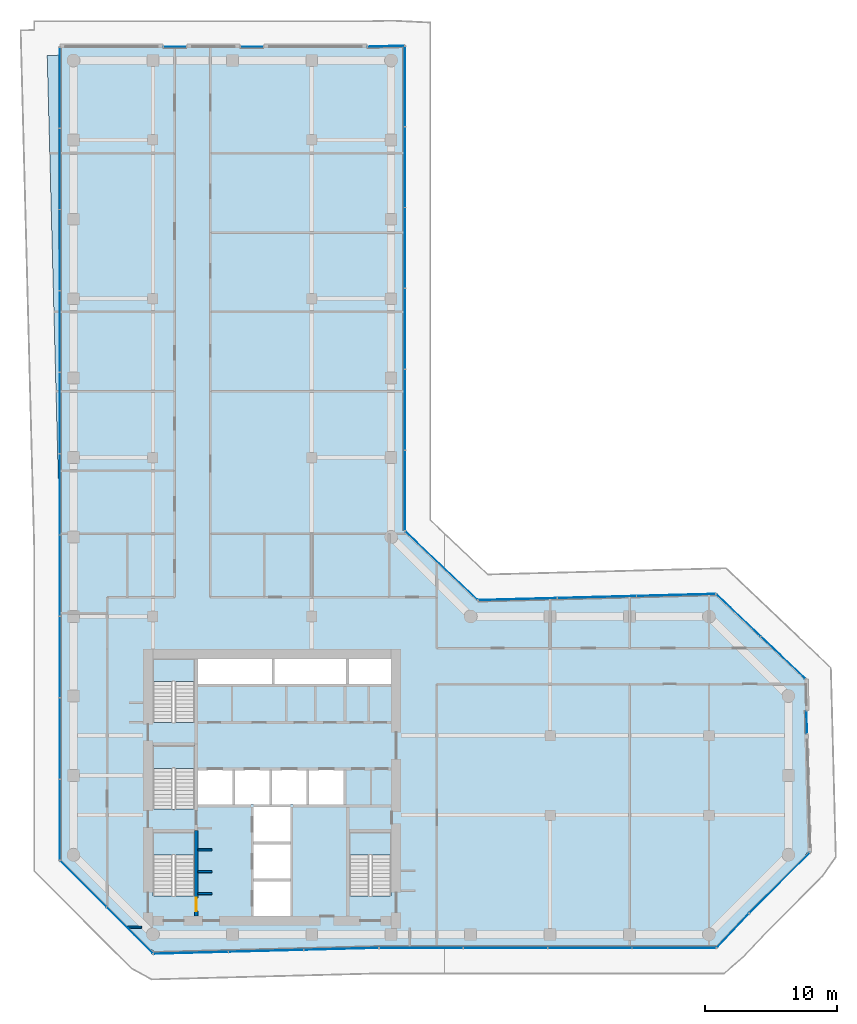
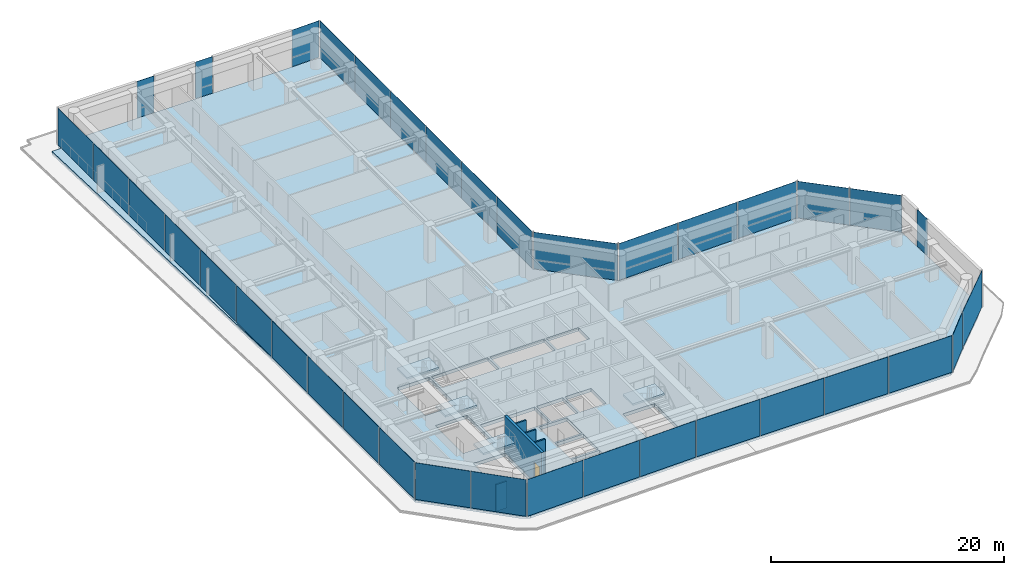
# One storey, part 17 of 23: 37 plates, 5 slabs, 5 walls, 1 door, 1 opening, 18 elements without a shape of their own.
"""IFC4 building model written with IfcOpenShell, lengths in metres."""

from ifc_helpers import new_model, si_unit, direction, frame, frame_2d, origin, origin_2d, place, context, subcontext, project, spatial, polyline, rectangle, outline, extrude, material, layer, layer_set, type_object, element, fill, aggregate, save


model = new_model("IFC4")

# Units and contexts
model_context = context("Model", 3, precision=1e-05, world=origin(), true_north=direction((0.0, 1.0)))
body_context = subcontext(model_context, "Body", "Model", "MODEL_VIEW")
ifc_project = project(units=[si_unit("LENGTHUNIT", "METRE"), si_unit("AREAUNIT", "SQUARE_METRE"), si_unit("VOLUMEUNIT", "CUBIC_METRE"), si_unit("PLANEANGLEUNIT", "RADIAN"), si_unit("MASSUNIT", "GRAM", prefix="KILO")], contexts=[model_context])

# Site, building, storey
site_placement = place(None, origin())
site = spatial("IfcSite", under=ifc_project, at=site_placement, CompositionType="ELEMENT")
building_placement = place(site_placement, origin())
building = spatial("IfcBuilding", under=site, at=building_placement, Name="Welwitschia Terrace Campus", CompositionType="ELEMENT")
storey_placement = place(building_placement, frame((0.0, 0.0, 104.60009765625)))
storey = spatial("IfcBuildingStorey", under=building, at=storey_placement, Name="L23", CompositionType="ELEMENT", Elevation=104.60009765625)

# Curtain wall, plates
ifc_material_1 = material(Name="Bronze anodised aluminium", Category="aluminium")
ifc_layer_1 = layer(ifc_material_1, 0.1201171875)
ifc_layer_set_1 = layer_set([ifc_layer_1], Name="Bronze anodised aluminium")
curtain_wall_type = type_object("IfcCurtainWallType", Name="Curtain wall CW2 tower 6000", PredefinedType="NOTDEFINED", material=ifc_layer_set_1)
curtain_wall_1_placement = place(storey_placement, origin())
curtain_wall_1 = element("IfcCurtainWall", 1, at=curtain_wall_1_placement, inside=storey, type_object=curtain_wall_type, Name="CW L23.0.0", PredefinedType="NOTDEFINED")
ifc_material_2 = material(Name="Tinted bronze-grey glass", Category="glass")
ifc_layer_2 = layer(ifc_material_2, 0.028076171875)
ifc_layer_set_2 = layer_set([ifc_layer_2], Name="Tinted bronze-grey glass")
plate_type = type_object("IfcPlateType", Name="Glass panel 28 tinted", PredefinedType="CURTAIN_PANEL", material=ifc_layer_set_2)
plate_1_placement = place(storey_placement, frame((0.7431640625, 7.80029296875, -0.000244140625), z_axis=(0.0, 0.0, 1.0), x_axis=(0.707106781187, -0.707106781187, 0.0)))
plate_1 = element("IfcPlate", 2, at=plate_1_placement, type_object=plate_type, Name="Panel L23.0.0.0", PredefinedType="CURTAIN_PANEL", context=body_context, shape_type="SweptSolid", body=[
    extrude(rectangle(XDim=4.89501953125, YDim=0.028076171875, at=origin_2d()), origin(), (0.0, 0.0, 1.0), 3.85009765625),
])
plate_2_placement = place(storey_placement, frame((4.246826171875, 4.29638671875, -0.000244140625), z_axis=(0.0, 0.0, 1.0), x_axis=(0.707106781187, -0.707106781187, 0.0)))
plate_2 = element("IfcPlate", 3, at=plate_2_placement, type_object=plate_type, Name="Panel L23.0.0.1", PredefinedType="CURTAIN_PANEL", context=body_context, shape_type="SweptSolid", body=[
    extrude(rectangle(XDim=4.89501953125, YDim=0.028076171875, at=origin_2d()), origin(), (0.0, 0.0, 1.0), 3.85009765625),
])
aggregate(curtain_wall_1, [plate_1, plate_2])

curtain_wall_2_placement = place(storey_placement, origin())
curtain_wall_2 = element("IfcCurtainWall", 4, at=curtain_wall_2_placement, inside=storey, type_object=curtain_wall_type, Name="CW L23.1.0", PredefinedType="NOTDEFINED")
plate_3_placement = place(storey_placement, frame((8.87744140625, 2.59814453125, -0.000244140625), z_axis=(0.0, 0.0, 1.0), x_axis=(0.999657324976, 0.026176948308, 0.0)))
plate_3 = element("IfcPlate", 5, at=plate_3_placement, type_object=plate_type, Name="Panel L23.1.0.0", PredefinedType="CURTAIN_PANEL", context=body_context, shape_type="SweptSolid", body=[
    extrude(rectangle(XDim=5.5966796875, YDim=0.028076171875, at=origin_2d()), origin(), (0.0, 0.0, 1.0), 3.85009765625),
])
plate_4_placement = place(storey_placement, frame((14.547119140625, 2.746826171875, -0.000244140625), z_axis=(0.0, 0.0, 1.0), x_axis=(0.999657324976, 0.026176948308, 0.0)))
plate_4 = element("IfcPlate", 6, at=plate_4_placement, type_object=plate_type, Name="Panel L23.1.0.1", PredefinedType="CURTAIN_PANEL", context=body_context, shape_type="SweptSolid", body=[
    extrude(rectangle(XDim=5.626708984375, YDim=0.028076171875, at=origin_2d()), origin(), (0.0, 0.0, 1.0), 3.85009765625),
])
plate_5_placement = place(storey_placement, frame((20.217041015625, 2.895263671875, -0.000244140625), z_axis=(0.0, 0.0, 1.0), x_axis=(0.999657324976, 0.026176948308, 0.0)))
plate_5 = element("IfcPlate", 7, at=plate_5_placement, type_object=plate_type, Name="Panel L23.1.0.2", PredefinedType="CURTAIN_PANEL", context=body_context, shape_type="SweptSolid", body=[
    extrude(rectangle(XDim=5.5966796875, YDim=0.028076171875, at=origin_2d()), origin(), (0.0, 0.0, 1.0), 3.85009765625),
])
aggregate(curtain_wall_2, [plate_3, plate_4, plate_5])

curtain_wall_3_placement = place(storey_placement, origin())
curtain_wall_3 = element("IfcCurtainWall", 8, at=curtain_wall_3_placement, inside=storey, type_object=curtain_wall_type, Name="CW L23.2.0", PredefinedType="NOTDEFINED")
plate_6_placement = place(storey_placement, frame((26.27490234375, 2.969970703125, -0.000244140625), z_axis=(0.0, 0.0, 1.0), x_axis=(1.0, 0.0, 0.0)))
plate_6 = element("IfcPlate", 9, at=plate_6_placement, type_object=plate_type, Name="Panel L23.2.0.0", PredefinedType="CURTAIN_PANEL", context=body_context, shape_type="SweptSolid", body=[
    extrude(rectangle(XDim=6.28125, YDim=0.028076171875, at=origin_2d()), origin(), (0.0, 0.0, 1.0), 3.85009765625),
])
plate_7_placement = place(storey_placement, frame((32.631103515625, 2.969970703125, -0.000244140625), z_axis=(0.0, 0.0, 1.0), x_axis=(1.0, 0.0, 0.0)))
plate_7 = element("IfcPlate", 10, at=plate_7_placement, type_object=plate_type, Name="Panel L23.2.0.1", PredefinedType="CURTAIN_PANEL", context=body_context, shape_type="SweptSolid", body=[
    extrude(rectangle(XDim=6.311279296875, YDim=0.028076171875, at=origin_2d()), origin(), (0.0, 0.0, 1.0), 3.85009765625),
])
plate_8_placement = place(storey_placement, frame((39.00244140625, 2.969970703125, -0.000244140625), z_axis=(0.0, 0.0, 1.0), x_axis=(1.0, 0.0, 0.0)))
plate_8 = element("IfcPlate", 11, at=plate_8_placement, type_object=plate_type, Name="Panel L23.2.0.2", PredefinedType="CURTAIN_PANEL", context=body_context, shape_type="SweptSolid", body=[
    extrude(rectangle(XDim=6.311279296875, YDim=0.028076171875, at=origin_2d()), origin(), (0.0, 0.0, 1.0), 3.85009765625),
])
plate_9_placement = place(storey_placement, frame((45.358642578125, 2.969970703125, -0.000244140625), z_axis=(0.0, 0.0, 1.0), x_axis=(1.0, 0.0, 0.0)))
plate_9 = element("IfcPlate", 12, at=plate_9_placement, type_object=plate_type, Name="Panel L23.2.0.3", PredefinedType="CURTAIN_PANEL", context=body_context, shape_type="SweptSolid", body=[
    extrude(rectangle(XDim=6.28125, YDim=0.028076171875, at=origin_2d()), origin(), (0.0, 0.0, 1.0), 3.85009765625),
])
aggregate(curtain_wall_3, [plate_6, plate_7, plate_8, plate_9])

# Curtain wall, plate
curtain_wall_4_placement = place(storey_placement, origin())
curtain_wall_4 = element("IfcCurtainWall", 13, at=curtain_wall_4_placement, inside=storey, type_object=curtain_wall_type, Name="CW L23.3.0", PredefinedType="NOTDEFINED")
plate_10_placement = place(storey_placement, frame((49.791748046875, 4.268798828125, -0.000244140625), z_axis=(0.0, 0.0, 1.0), x_axis=(0.688354575694, 0.725374371012, 0.0)))
plate_10 = element("IfcPlate", 14, at=plate_10_placement, type_object=plate_type, Name="Panel L23.3.0.0", PredefinedType="CURTAIN_PANEL", context=body_context, shape_type="SweptSolid", body=[
    extrude(rectangle(XDim=3.4609375, YDim=0.028076171875, at=origin_2d()), origin(), (0.0, 0.0, 1.0), 3.85009765625),
])
aggregate(curtain_wall_4, [plate_10])

curtain_wall_5_placement = place(storey_placement, origin())
curtain_wall_5 = element("IfcCurtainWall", 15, at=curtain_wall_5_placement, inside=storey, type_object=curtain_wall_type, Name="CW L23.4.0", PredefinedType="NOTDEFINED")
plate_11_placement = place(storey_placement, frame((53.333740234375, 7.876953125, -0.000244140625), z_axis=(0.0, 0.0, 1.0), x_axis=(0.707106781187, 0.707106781187, 0.0)))
plate_11 = element("IfcPlate", 16, at=plate_11_placement, type_object=plate_type, Name="Panel L23.4.0.0", PredefinedType="CURTAIN_PANEL", context=body_context, shape_type="SweptSolid", body=[
    extrude(rectangle(XDim=6.412353515625, YDim=0.028076171875, at=origin_2d()), origin(), (0.0, 0.0, 1.0), 3.85009765625),
])
aggregate(curtain_wall_5, [plate_11])

curtain_wall_6_placement = place(storey_placement, origin())
curtain_wall_6 = element("IfcCurtainWall", 17, at=curtain_wall_6_placement, inside=storey, type_object=curtain_wall_type, Name="CW L23.5.S0", PredefinedType="NOTDEFINED")
plate_12_placement = place(storey_placement, frame((55.385986328125, 20.004638671875, -0.000244140625), z_axis=(0.0, 0.0, 1.0), x_axis=(-0.026176948308, 0.999657324976, 0.0)))
plate_12 = element("IfcPlate", 18, at=plate_12_placement, type_object=plate_type, Name="Panel L23.5.S0.0", PredefinedType="CURTAIN_PANEL", context=body_context, shape_type="SweptSolid", body=[
    extrude(rectangle(XDim=1.679931640625, YDim=0.028076171875, at=origin_2d()), origin(), (0.0, 0.0, 1.0), 3.85009765625),
])
aggregate(curtain_wall_6, [plate_12])

# Curtain wall, plates
curtain_wall_7_placement = place(storey_placement, origin())
curtain_wall_7 = element("IfcCurtainWall", 19, at=curtain_wall_7_placement, inside=storey, type_object=curtain_wall_type, Name="CW L23.6.0", PredefinedType="NOTDEFINED")
plate_13_placement = place(storey_placement, frame((53.595947265625, 24.89453125, -0.000244140625), z_axis=(0.0, 0.0, 1.0), x_axis=(-0.725374371012, 0.688354575694, 0.0)))
plate_13 = element("IfcPlate", 20, at=plate_13_placement, type_object=plate_type, Name="Panel L23.6.0.0", PredefinedType="CURTAIN_PANEL", context=body_context, shape_type="SweptSolid", body=[
    extrude(rectangle(XDim=4.579345703125, YDim=0.028076171875, at=origin_2d()), origin(), (0.0, 0.0, 1.0), 3.85009765625),
])
plate_14_placement = place(storey_placement, frame((50.230712890625, 28.088134765625, -0.000244140625), z_axis=(0.0, 0.0, 1.0), x_axis=(-0.725374371012, 0.688354575694, 0.0)))
plate_14 = element("IfcPlate", 21, at=plate_14_placement, type_object=plate_type, Name="Panel L23.6.0.1", PredefinedType="CURTAIN_PANEL", context=body_context, shape_type="SweptSolid", body=[
    extrude(rectangle(XDim=4.579345703125, YDim=0.028076171875, at=origin_2d()), origin(), (0.0, 0.0, 1.0), 3.85009765625),
])
aggregate(curtain_wall_7, [plate_13, plate_14])

curtain_wall_8_placement = place(storey_placement, origin())
curtain_wall_8 = element("IfcCurtainWall", 22, at=curtain_wall_8_placement, inside=storey, type_object=curtain_wall_type, Name="CW L23.7.0", PredefinedType="NOTDEFINED")
plate_15_placement = place(storey_placement, frame((45.512451171875, 29.62646484375, -0.000244140625), z_axis=(0.0, 0.0, 1.0), x_axis=(-0.999657324976, -0.026176948308, 0.0)))
plate_15 = element("IfcPlate", 23, at=plate_15_placement, type_object=plate_type, Name="Panel L23.7.0.0", PredefinedType="CURTAIN_PANEL", context=body_context, shape_type="SweptSolid", body=[
    extrude(rectangle(XDim=5.909912109375, YDim=0.028076171875, at=origin_2d()), origin(), (0.0, 0.0, 1.0), 3.85009765625),
])
plate_16_placement = place(storey_placement, frame((39.529541015625, 29.4697265625, -0.000244140625), z_axis=(0.0, 0.0, 1.0), x_axis=(-0.999657324976, -0.026176948308, 0.0)))
plate_16 = element("IfcPlate", 24, at=plate_16_placement, type_object=plate_type, Name="Panel L23.7.0.1", PredefinedType="CURTAIN_PANEL", context=body_context, shape_type="SweptSolid", body=[
    extrude(rectangle(XDim=5.93994140625, YDim=0.028076171875, at=origin_2d()), origin(), (0.0, 0.0, 1.0), 3.85009765625),
])
plate_17_placement = place(storey_placement, frame((33.546630859375, 29.313232421875, -0.000244140625), z_axis=(0.0, 0.0, 1.0), x_axis=(-0.999657324976, -0.026176948308, 0.0)))
plate_17 = element("IfcPlate", 25, at=plate_17_placement, type_object=plate_type, Name="Panel L23.7.0.2", PredefinedType="CURTAIN_PANEL", context=body_context, shape_type="SweptSolid", body=[
    extrude(rectangle(XDim=5.909912109375, YDim=0.028076171875, at=origin_2d()), origin(), (0.0, 0.0, 1.0), 3.85009765625),
])
aggregate(curtain_wall_8, [plate_15, plate_16, plate_17])

# Curtain wall, plate
curtain_wall_9_placement = place(storey_placement, origin())
curtain_wall_9 = element("IfcCurtainWall", 26, at=curtain_wall_9_placement, inside=storey, type_object=curtain_wall_type, Name="CW L23.8.0", PredefinedType="NOTDEFINED")
plate_18_placement = place(storey_placement, frame((27.78125, 31.84521484375, -0.000244140625), z_axis=(0.0, 0.0, 1.0), x_axis=(-0.725374371012, 0.688354575694, 0.0)))
plate_18 = element("IfcPlate", 27, at=plate_18_placement, type_object=plate_type, Name="Panel L23.8.0.0", PredefinedType="CURTAIN_PANEL", context=body_context, shape_type="SweptSolid", body=[
    extrude(rectangle(XDim=7.4658203125, YDim=0.028076171875, at=origin_2d()), origin(), (0.0, 0.0, 1.0), 3.85009765625),
])
aggregate(curtain_wall_9, [plate_18])

# Curtain wall, plates
curtain_wall_10_placement = place(storey_placement, origin())
curtain_wall_10 = element("IfcCurtainWall", 28, at=curtain_wall_10_placement, inside=storey, type_object=curtain_wall_type, Name="CW L23.9.0", PredefinedType="NOTDEFINED")
plate_19_placement = place(storey_placement, frame((25.030029296875, 37.525146484375, -0.000244140625), z_axis=(0.0, 0.0, 1.0), x_axis=(0.0, 1.0, 0.0)))
plate_19 = element("IfcPlate", 29, at=plate_19_placement, type_object=plate_type, Name="Panel L23.9.0.0", PredefinedType="CURTAIN_PANEL", context=body_context, shape_type="SweptSolid", body=[
    extrude(rectangle(XDim=6.01806640625, YDim=0.028076171875, at=origin_2d()), origin(), (0.0, 0.0, 1.0), 3.85009765625),
])
plate_20_placement = place(storey_placement, frame((25.030029296875, 43.6181640625, -0.000244140625), z_axis=(0.0, 0.0, 1.0), x_axis=(0.0, 1.0, 0.0)))
plate_20 = element("IfcPlate", 30, at=plate_20_placement, type_object=plate_type, Name="Panel L23.9.0.1", PredefinedType="CURTAIN_PANEL", context=body_context, shape_type="SweptSolid", body=[
    extrude(rectangle(XDim=6.048095703125, YDim=0.028076171875, at=origin_2d()), origin(), (0.0, 0.0, 1.0), 3.85009765625),
])
plate_21_placement = place(storey_placement, frame((25.030029296875, 49.726318359375, -0.000244140625), z_axis=(0.0, 0.0, 1.0), x_axis=(0.0, 1.0, 0.0)))
plate_21 = element("IfcPlate", 31, at=plate_21_placement, type_object=plate_type, Name="Panel L23.9.0.2", PredefinedType="CURTAIN_PANEL", context=body_context, shape_type="SweptSolid", body=[
    extrude(rectangle(XDim=6.048095703125, YDim=0.028076171875, at=origin_2d()), origin(), (0.0, 0.0, 1.0), 3.85009765625),
])
plate_22_placement = place(storey_placement, frame((25.030029296875, 55.834228515625, -0.000244140625), z_axis=(0.0, 0.0, 1.0), x_axis=(0.0, 1.0, 0.0)))
plate_22 = element("IfcPlate", 32, at=plate_22_placement, type_object=plate_type, Name="Panel L23.9.0.3", PredefinedType="CURTAIN_PANEL", context=body_context, shape_type="SweptSolid", body=[
    extrude(rectangle(XDim=6.048095703125, YDim=0.028076171875, at=origin_2d()), origin(), (0.0, 0.0, 1.0), 3.85009765625),
])
plate_23_placement = place(storey_placement, frame((25.030029296875, 61.9423828125, -0.000244140625), z_axis=(0.0, 0.0, 1.0), x_axis=(0.0, 1.0, 0.0)))
plate_23 = element("IfcPlate", 33, at=plate_23_placement, type_object=plate_type, Name="Panel L23.9.0.4", PredefinedType="CURTAIN_PANEL", context=body_context, shape_type="SweptSolid", body=[
    extrude(rectangle(XDim=6.048095703125, YDim=0.028076171875, at=origin_2d()), origin(), (0.0, 0.0, 1.0), 3.85009765625),
])
plate_24_placement = place(storey_placement, frame((25.030029296875, 68.035400390625, -0.000244140625), z_axis=(0.0, 0.0, 1.0), x_axis=(0.0, 1.0, 0.0)))
plate_24 = element("IfcPlate", 34, at=plate_24_placement, type_object=plate_type, Name="Panel L23.9.0.5", PredefinedType="CURTAIN_PANEL", context=body_context, shape_type="SweptSolid", body=[
    extrude(rectangle(XDim=6.01806640625, YDim=0.028076171875, at=origin_2d()), origin(), (0.0, 0.0, 1.0), 3.85009765625),
])
aggregate(curtain_wall_10, [plate_19, plate_20, plate_21, plate_22, plate_23, plate_24])

# Curtain wall, plate
curtain_wall_11_placement = place(storey_placement, origin())
curtain_wall_11 = element("IfcCurtainWall", 35, at=curtain_wall_11_placement, inside=storey, type_object=curtain_wall_type, Name="CW L23.10.0", PredefinedType="NOTDEFINED")
plate_25_placement = place(storey_placement, frame((23.606689453125, 71.0673828125, -0.000244140625), z_axis=(0.0, 0.0, 1.0), x_axis=(-0.999657324976, -0.026176948308, 0.0)))
plate_25 = element("IfcPlate", 36, at=plate_25_placement, type_object=plate_type, Name="Panel L23.10.0.0", PredefinedType="CURTAIN_PANEL", context=body_context, shape_type="SweptSolid", body=[
    extrude(rectangle(XDim=2.7275390625, YDim=0.028076171875, at=origin_2d()), origin(), (0.0, 0.0, 1.0), 3.85009765625),
])
aggregate(curtain_wall_11, [plate_25])

curtain_wall_12_placement = place(storey_placement, origin())
curtain_wall_12 = element("IfcCurtainWall", 37, at=curtain_wall_12_placement, inside=storey, type_object=curtain_wall_type, Name="CW L23.11.S0", PredefinedType="NOTDEFINED")
plate_26_placement = place(storey_placement, frame((13.478271484375, 71.030029296875, -0.000244140625), z_axis=(0.0, 0.0, 1.0), x_axis=(-1.0, 0.0, 0.0)))
plate_26 = element("IfcPlate", 38, at=plate_26_placement, type_object=plate_type, Name="Panel L23.11.S0.0", PredefinedType="CURTAIN_PANEL", context=body_context, shape_type="SweptSolid", body=[
    extrude(rectangle(XDim=1.679931640625, YDim=0.028076171875, at=origin_2d()), origin(), (0.0, 0.0, 1.0), 3.85009765625),
])
aggregate(curtain_wall_12, [plate_26])

curtain_wall_13_placement = place(storey_placement, origin())
curtain_wall_13 = element("IfcCurtainWall", 39, at=curtain_wall_13_placement, inside=storey, type_object=curtain_wall_type, Name="CW L23.11.S1", PredefinedType="NOTDEFINED")
plate_27_placement = place(storey_placement, frame((7.675048828125, 71.030029296875, -0.000244140625), z_axis=(0.0, 0.0, 1.0), x_axis=(-1.0, 0.0, 0.0)))
plate_27 = element("IfcPlate", 40, at=plate_27_placement, type_object=plate_type, Name="Panel L23.11.S1.0", PredefinedType="CURTAIN_PANEL", context=body_context, shape_type="SweptSolid", body=[
    extrude(rectangle(XDim=1.679931640625, YDim=0.028076171875, at=origin_2d()), origin(), (0.0, 0.0, 1.0), 3.85009765625),
])
aggregate(curtain_wall_13, [plate_27])

# Curtain wall, plates
curtain_wall_14_placement = place(storey_placement, origin())
curtain_wall_14 = element("IfcCurtainWall", 41, at=curtain_wall_14_placement, inside=storey, type_object=curtain_wall_type, Name="CW L23.12.0", PredefinedType="NOTDEFINED")
plate_28_placement = place(storey_placement, frame((-1.030029296875, 67.942138671875, -0.000244140625), z_axis=(0.0, 0.0, 1.0), x_axis=(0.0, -1.0, 0.0)))
plate_28 = element("IfcPlate", 42, at=plate_28_placement, type_object=plate_type, Name="Panel L23.12.0.0", PredefinedType="CURTAIN_PANEL", context=body_context, shape_type="SweptSolid", body=[
    extrude(rectangle(XDim=6.0556640625, YDim=0.028076171875, at=origin_2d()), origin(), (0.0, 0.0, 1.0), 3.85009765625),
])
plate_29_placement = place(storey_placement, frame((-1.030029296875, 61.8115234375, -0.000244140625), z_axis=(0.0, 0.0, 1.0), x_axis=(0.0, -1.0, 0.0)))
plate_29 = element("IfcPlate", 43, at=plate_29_placement, type_object=plate_type, Name="Panel L23.12.0.1", PredefinedType="CURTAIN_PANEL", context=body_context, shape_type="SweptSolid", body=[
    extrude(rectangle(XDim=6.085693359375, YDim=0.028076171875, at=origin_2d()), origin(), (0.0, 0.0, 1.0), 3.85009765625),
])
plate_30_placement = place(storey_placement, frame((-1.030029296875, 55.665771484375, -0.000244140625), z_axis=(0.0, 0.0, 1.0), x_axis=(0.0, -1.0, 0.0)))
plate_30 = element("IfcPlate", 44, at=plate_30_placement, type_object=plate_type, Name="Panel L23.12.0.2", PredefinedType="CURTAIN_PANEL", context=body_context, shape_type="SweptSolid", body=[
    extrude(rectangle(XDim=6.085693359375, YDim=0.028076171875, at=origin_2d()), origin(), (0.0, 0.0, 1.0), 3.85009765625),
])
plate_31_placement = place(storey_placement, frame((-1.030029296875, 49.520263671875, -0.000244140625), z_axis=(0.0, 0.0, 1.0), x_axis=(0.0, -1.0, 0.0)))
plate_31 = element("IfcPlate", 45, at=plate_31_placement, type_object=plate_type, Name="Panel L23.12.0.3", PredefinedType="CURTAIN_PANEL", context=body_context, shape_type="SweptSolid", body=[
    extrude(rectangle(XDim=6.085693359375, YDim=0.028076171875, at=origin_2d()), origin(), (0.0, 0.0, 1.0), 3.85009765625),
])
plate_32_placement = place(storey_placement, frame((-1.030029296875, 43.37451171875, -0.000244140625), z_axis=(0.0, 0.0, 1.0), x_axis=(0.0, -1.0, 0.0)))
plate_32 = element("IfcPlate", 46, at=plate_32_placement, type_object=plate_type, Name="Panel L23.12.0.4", PredefinedType="CURTAIN_PANEL", context=body_context, shape_type="SweptSolid", body=[
    extrude(rectangle(XDim=6.085693359375, YDim=0.028076171875, at=origin_2d()), origin(), (0.0, 0.0, 1.0), 3.85009765625),
])
plate_33_placement = place(storey_placement, frame((-1.030029296875, 37.228759765625, -0.000244140625), z_axis=(0.0, 0.0, 1.0), x_axis=(0.0, -1.0, 0.0)))
plate_33 = element("IfcPlate", 47, at=plate_33_placement, type_object=plate_type, Name="Panel L23.12.0.5", PredefinedType="CURTAIN_PANEL", context=body_context, shape_type="SweptSolid", body=[
    extrude(rectangle(XDim=6.085693359375, YDim=0.028076171875, at=origin_2d()), origin(), (0.0, 0.0, 1.0), 3.85009765625),
])
plate_34_placement = place(storey_placement, frame((-1.030029296875, 31.083251953125, -0.000244140625), z_axis=(0.0, 0.0, 1.0), x_axis=(0.0, -1.0, 0.0)))
plate_34 = element("IfcPlate", 48, at=plate_34_placement, type_object=plate_type, Name="Panel L23.12.0.6", PredefinedType="CURTAIN_PANEL", context=body_context, shape_type="SweptSolid", body=[
    extrude(rectangle(XDim=6.085693359375, YDim=0.028076171875, at=origin_2d()), origin(), (0.0, 0.0, 1.0), 3.85009765625),
])
plate_35_placement = place(storey_placement, frame((-1.030029296875, 24.9375, -0.000244140625), z_axis=(0.0, 0.0, 1.0), x_axis=(0.0, -1.0, 0.0)))
plate_35 = element("IfcPlate", 49, at=plate_35_placement, type_object=plate_type, Name="Panel L23.12.0.7", PredefinedType="CURTAIN_PANEL", context=body_context, shape_type="SweptSolid", body=[
    extrude(rectangle(XDim=6.085693359375, YDim=0.028076171875, at=origin_2d()), origin(), (0.0, 0.0, 1.0), 3.85009765625),
])
plate_36_placement = place(storey_placement, frame((-1.030029296875, 18.791748046875, -0.000244140625), z_axis=(0.0, 0.0, 1.0), x_axis=(0.0, -1.0, 0.0)))
plate_36 = element("IfcPlate", 50, at=plate_36_placement, type_object=plate_type, Name="Panel L23.12.0.8", PredefinedType="CURTAIN_PANEL", context=body_context, shape_type="SweptSolid", body=[
    extrude(rectangle(XDim=6.085693359375, YDim=0.028076171875, at=origin_2d()), origin(), (0.0, 0.0, 1.0), 3.85009765625),
])
plate_37_placement = place(storey_placement, frame((-1.030029296875, 12.6611328125, -0.000244140625), z_axis=(0.0, 0.0, 1.0), x_axis=(0.0, -1.0, 0.0)))
plate_37 = element("IfcPlate", 51, at=plate_37_placement, type_object=plate_type, Name="Panel L23.12.0.9", PredefinedType="CURTAIN_PANEL", context=body_context, shape_type="SweptSolid", body=[
    extrude(rectangle(XDim=6.0556640625, YDim=0.028076171875, at=origin_2d()), origin(), (0.0, 0.0, 1.0), 3.85009765625),
])
aggregate(curtain_wall_14, [plate_28, plate_29, plate_30, plate_31, plate_32, plate_33, plate_34, plate_35, plate_36, plate_37])

# Stair, slab
ifc_material_3 = material(Name="Concrete C40/50", Category="concrete")
stair_type = type_object("IfcStairType", Name="Stair 24R 175 W1500", PredefinedType="HALF_TURN_STAIR", material=ifc_material_3)
stair_1_placement = place(storey_placement, origin())
stair_1 = element("IfcStair", 52, at=stair_1_placement, inside=storey, type_object=stair_type, Name="L23 Exit stair S1", PredefinedType="HALF_TURN_STAIR")
ifc_material_4 = material(Name="Concrete C40/50", Category="concrete")
ifc_layer_3 = layer(ifc_material_4, 0.199951171875)
ifc_layer_set_3 = layer_set([ifc_layer_3], Name="Concrete C40/50")
slab_type_1 = type_object("IfcSlabType", Name="Stair landing RC", PredefinedType="LANDING", material=ifc_layer_set_3)
slab_1_placement = place(storey_placement, frame((0.0, 0.0, 1.89990234375)))
slab_1 = element("IfcSlab", 53, at=slab_1_placement, type_object=slab_type_1, Name="S1 landing 1", PredefinedType="LANDING", context=body_context, shape_type="SweptSolid", body=[
    extrude(outline(polyline([(9.14990234375, 9.97998046875), (9.14990234375, 11.699951171875), (6.0, 11.699951171875), (6.0, 9.97998046875), (9.14990234375, 9.97998046875)])), origin(), (0.0, 0.0, 1.0), 0.199951171875),
])
aggregate(stair_1, [slab_1])

stair_2_placement = place(storey_placement, origin())
stair_2 = element("IfcStair", 54, at=stair_2_placement, inside=storey, type_object=stair_type, Name="L23 Exit stair S3", PredefinedType="HALF_TURN_STAIR")
slab_2_placement = place(storey_placement, frame((0.0, 0.0, 1.89990234375)))
slab_2 = element("IfcSlab", 55, at=slab_2_placement, type_object=slab_type_1, Name="S3 landing 1", PredefinedType="LANDING", context=body_context, shape_type="SweptSolid", body=[
    extrude(outline(polyline([(9.14990234375, 16.530029296875), (9.14990234375, 18.25), (6.0, 18.25), (6.0, 16.530029296875), (9.14990234375, 16.530029296875)])), origin(), (0.0, 0.0, 1.0), 0.199951171875),
])
aggregate(stair_2, [slab_2])

stair_3_placement = place(storey_placement, origin())
stair_3 = element("IfcStair", 56, at=stair_3_placement, inside=storey, type_object=stair_type, Name="L23 Exit stair S4", PredefinedType="HALF_TURN_STAIR")
slab_3_placement = place(storey_placement, frame((0.0, 0.0, 1.89990234375)))
slab_3 = element("IfcSlab", 57, at=slab_3_placement, type_object=slab_type_1, Name="S4 landing 1", PredefinedType="LANDING", context=body_context, shape_type="SweptSolid", body=[
    extrude(outline(polyline([(9.14990234375, 23.080078125), (9.14990234375, 24.800048828125), (6.0, 24.800048828125), (6.0, 23.080078125), (9.14990234375, 23.080078125)])), origin(), (0.0, 0.0, 1.0), 0.199951171875),
])
aggregate(stair_3, [slab_3])

stair_4_placement = place(storey_placement, origin())
stair_4 = element("IfcStair", 58, at=stair_4_placement, inside=storey, type_object=stair_type, Name="L23 Exit stair S2", PredefinedType="HALF_TURN_STAIR")
slab_4_placement = place(storey_placement, frame((0.0, 0.0, 1.89990234375)))
slab_4 = element("IfcSlab", 59, at=slab_4_placement, type_object=slab_type_1, Name="S2 landing 1", PredefinedType="LANDING", context=body_context, shape_type="SweptSolid", body=[
    extrude(outline(polyline([(24.0, 9.97998046875), (24.0, 11.699951171875), (20.85009765625, 11.699951171875), (20.85009765625, 9.97998046875), (24.0, 9.97998046875)])), origin(), (0.0, 0.0, 1.0), 0.199951171875),
])
aggregate(stair_4, [slab_4])

# Slab
ifc_material_5 = material(Name="Concrete C40/50", Category="concrete")
ifc_layer_4 = layer(ifc_material_5, 0.35009765625)
ifc_layer_set_4 = layer_set([ifc_layer_4], Name="Concrete C40/50")
slab_type_2 = type_object("IfcSlabType", Name="Suspended floor slab 350", PredefinedType="FLOOR", material=ifc_layer_set_4)
slab_5_placement = place(storey_placement, frame((0.0, 0.0, -0.35009765625)))
element("IfcSlab", 60, at=slab_5_placement, inside=storey, type_object=slab_type_2, Name="Floor slab L23", PredefinedType="FLOOR", context=body_context, shape_type="SweptSolid", body=[
    extrude(outline(polyline([(-1.0, 70.392822265625), (-1.0, 71.0), (22.183837890625, 71.0), (24.00927734375, 71.0478515625), (25.0, 71.0), (25.0, 34.443115234375), (30.52099609375, 29.203857421875), (48.514892578125, 29.675048828125), (55.270751953125, 23.263916015625), (55.6064453125, 10.43994140625), (55.0, 9.585693359375), (51.002685546875, 5.58837890625), (49.1953125, 3.68408203125), (48.414306640625, 3.0), (23.073974609375, 3.0), (6.381591796875, 2.56298828125), (5.585693359375, 3.0), (-1.0, 9.585693359375), (-1.0, 32.8701171875), (-1.98193359375, 70.3671875), (-1.0, 70.392822265625)]), holes=[polyline([(13.60009765625, 8.0), (13.60009765625, 5.39990234375), (16.39990234375, 5.39990234375), (16.39990234375, 8.0), (13.60009765625, 8.0)]), polyline([(9.14990234375, 11.699951171875), (6.0, 11.699951171875), (6.0, 6.902099609375), (9.14990234375, 6.902099609375), (9.14990234375, 11.699951171875)]), polyline([(12.0, 16.39990234375), (9.39990234375, 16.39990234375), (9.39990234375, 13.800048828125), (12.0, 13.800048828125), (12.0, 16.39990234375)]), polyline([(14.800048828125, 16.39990234375), (12.199951171875, 16.39990234375), (12.199951171875, 13.800048828125), (14.800048828125, 13.800048828125), (14.800048828125, 16.39990234375)]), polyline([(9.14990234375, 18.25), (6.0, 18.25), (6.0, 13.451904296875), (9.14990234375, 13.451904296875), (9.14990234375, 18.25)]), polyline([(9.14990234375, 24.800048828125), (6.0, 24.800048828125), (6.0, 20.001953125), (9.14990234375, 20.001953125), (9.14990234375, 24.800048828125)]), polyline([(15.0, 24.800048828125), (9.39990234375, 24.800048828125), (9.39990234375, 22.89990234375), (15.0, 22.89990234375), (15.0, 24.800048828125)]), polyline([(20.85009765625, 11.699951171875), (20.85009765625, 6.902099609375), (24.0, 6.902099609375), (24.0, 11.699951171875), (20.85009765625, 11.699951171875)]), polyline([(16.39990234375, 10.800048828125), (13.60009765625, 10.800048828125), (13.60009765625, 8.199951171875), (16.39990234375, 8.199951171875), (16.39990234375, 10.800048828125)]), polyline([(16.39990234375, 13.60009765625), (13.60009765625, 13.60009765625), (13.60009765625, 11.0), (16.39990234375, 11.0), (16.39990234375, 13.60009765625)]), polyline([(17.60009765625, 16.39990234375), (15.0, 16.39990234375), (15.0, 13.800048828125), (17.60009765625, 13.800048828125), (17.60009765625, 16.39990234375)]), polyline([(20.39990234375, 16.39990234375), (17.800048828125, 16.39990234375), (17.800048828125, 13.800048828125), (20.39990234375, 13.800048828125), (20.39990234375, 16.39990234375)]), polyline([(20.60009765625, 24.800048828125), (15.199951171875, 24.800048828125), (15.199951171875, 22.89990234375), (20.60009765625, 22.89990234375), (20.60009765625, 24.800048828125)]), polyline([(24.0, 24.800048828125), (20.800048828125, 24.800048828125), (20.800048828125, 22.89990234375), (24.0, 22.89990234375), (24.0, 24.800048828125)])]), origin(), (0.0, 0.0, 1.0), 0.35009765625),
])

# Walls
ifc_material_6 = material(Name="Concrete C50/60", Category="concrete")
ifc_layer_5 = layer(ifc_material_6, 0.14990234375)
ifc_layer_set_5 = layer_set([ifc_layer_5], Name="Concrete C50/60")
wall_type_1 = type_object("IfcWallType", Name="Core wall 150 Concrete C50/60", PredefinedType="SHEAR", material=ifc_layer_set_5)
for number, where, z_axis, x_axis, name in (
    (61, (9.39990234375, 7.074951171875, 0.0), (0.0, 0.0, 1.0), (1.0, 0.0, 0.0), "Core wall"),
    (62, (9.39990234375, 8.72509765625, 0.0), (0.0, 0.0, 1.0), (1.0, 0.0, 0.0), "Core wall"),
    (63, (9.39990234375, 10.375, 0.0), (0.0, 0.0, 1.0), (1.0, 0.0, 0.0), "Core wall"),
):
    element("IfcWall", number, at=place(storey_placement, frame(where, z_axis=z_axis, x_axis=x_axis)), inside=storey, type_object=wall_type_1, Name=name, PredefinedType="SHEAR", context=body_context, shape_type="SweptSolid", body=[
        extrude(rectangle(XDim=1.050048828125, YDim=0.14990234375, at=frame_2d((0.52490234375, 0.0))), origin(), (0.0, 0.0, 1.0), 3.849853515625),
    ])

# Wall, opening, door
ifc_material_7 = material(Name="Concrete C50/60", Category="concrete")
ifc_layer_6 = layer(ifc_material_7, 0.25)
ifc_layer_set_6 = layer_set([ifc_layer_6], Name="Concrete C50/60")
wall_type_2 = type_object("IfcWallType", Name="Core wall 250 Concrete C50/60", PredefinedType="SHEAR", material=ifc_layer_set_6)
wall_1_placement = place(storey_placement, frame((9.27490234375, 11.824951171875, 0.0), z_axis=(0.0, 0.0, 1.0), x_axis=(0.0, -1.0, 0.0)))
wall_1 = element("IfcWall", 64, at=wall_1_placement, inside=storey, type_object=wall_type_2, Name="Core wall", PredefinedType="SHEAR", context=body_context, shape_type="SweptSolid", body=[
    extrude(rectangle(XDim=6.425048828125, YDim=0.25, at=frame_2d((3.21240234375, 0.0))), origin(), (0.0, 0.0, 1.0), 3.849853515625),
])
opening_placement = place(wall_1_placement, frame((5.074951171875, 0.0, 0.0)))
opening = element("IfcOpeningElement", 65, at=opening_placement, cuts=wall_1, Name="Opening DS10", PredefinedType="OPENING", context=body_context, shape_type="SweptSolid", body=[
    extrude(rectangle(XDim=1.0, YDim=2.10009765625, at=frame_2d((0.5, 1.050048828125))), frame((0.0, 0.135009765625, 0.0), z_axis=(0.0, -1.0, 0.0), x_axis=(1.0, 0.0, 0.0)), (0.0, 0.0, 1.0), 0.27001953125),
])
ifc_material_8 = material(Name="Steel S275", Category="steel")
door_type = type_object("IfcDoorType", Name="Core door DS10", OperationType="SINGLE_SWING_LEFT", PredefinedType="DOOR", material=ifc_material_8)
door_placement = place(opening_placement, origin())
door = element("IfcDoor", 66, at=door_placement, inside=storey, type_object=door_type, Name="Door S1-FL", OperationType="SINGLE_SWING_RIGHT", OverallHeight=2.10009765625, OverallWidth=1.0, PredefinedType="DOOR", context=body_context, shape_type="SweptSolid", body=[
    extrude(rectangle(XDim=1.0, YDim=2.10009765625, at=frame_2d((0.5, 1.050048828125))), frame((0.0, 0.02490234375, 0.0), z_axis=(0.0, -1.0, 0.0), x_axis=(1.0, 0.0, 0.0)), (0.0, 0.0, 1.0), 0.050048828125),
])
fill(opening, door)

# Wall
ifc_material_9 = material(Name="Gypsum board on steel studs", Category="steel")
ifc_layer_7 = layer(ifc_material_9, 0.14990234375)
ifc_layer_set_7 = layer_set([ifc_layer_7], Name="Gypsum board on steel studs")
wall_type_3 = type_object("IfcWallType", Name="Corridor partition 150 EI 30", PredefinedType="PARTITIONING", material=ifc_layer_set_7)
wall_2_placement = place(storey_placement, frame((4.06005859375, 4.550048828125, 0.0), z_axis=(0.0, 0.0, 1.0), x_axis=(1.0, 0.0, 0.0)))
element("IfcWall", 67, at=wall_2_placement, inside=storey, type_object=wall_type_3, Name="Partition", PredefinedType="PARTITIONING", context=body_context, shape_type="SweptSolid", body=[
    extrude(rectangle(XDim=1.08984375, YDim=0.14990234375, at=frame_2d((0.544921875, 0.0))), origin(), (0.0, 0.0, 1.0), 2.829833984375),
])

save(model, "model.ifc")
